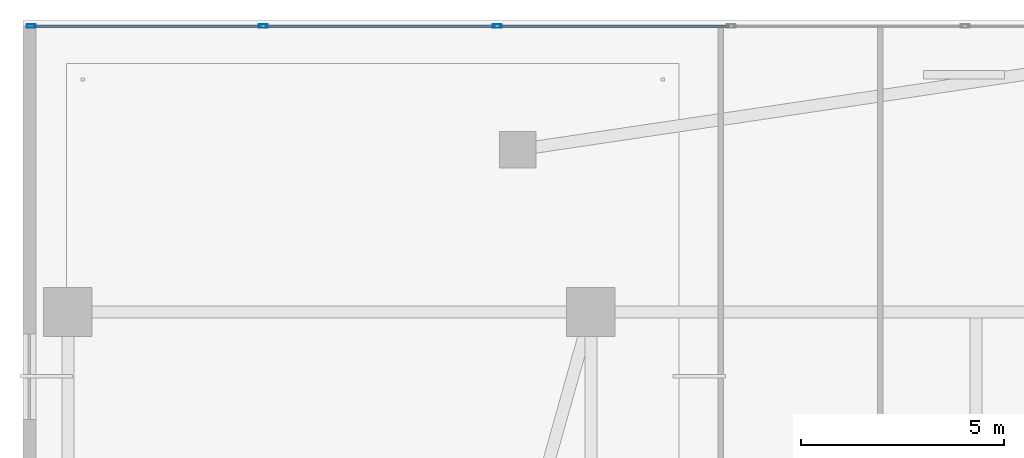
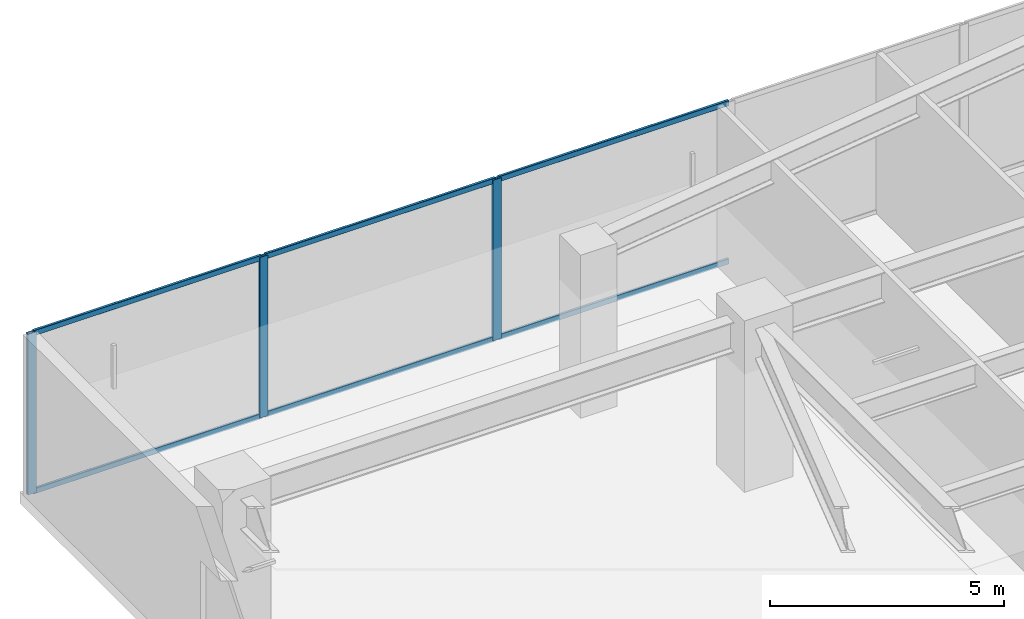
# One storey, part 2 of 22: 9 members, 1 element without a shape of its own.
"""IFC4 building model written with IfcOpenShell, lengths in metres."""

from ifc_helpers import new_model, si_unit, direction, frame, origin, origin_2d, place, context, subcontext, project, spatial, hollow_rectangle, extrude, material, layer, layer_set, material_profile, profile_set, type_object, element, aggregate, save


model = new_model("IFC4")

# Units and contexts
model_context = context("Model", 3, precision=1e-05, world=origin(), true_north=direction((0.0, 1.0)))
body_context = subcontext(model_context, "Body", "Model", "MODEL_VIEW")
ifc_project = project(units=[si_unit("LENGTHUNIT", "METRE"), si_unit("AREAUNIT", "SQUARE_METRE"), si_unit("VOLUMEUNIT", "CUBIC_METRE"), si_unit("PLANEANGLEUNIT", "RADIAN"), si_unit("MASSUNIT", "GRAM", prefix="KILO")], contexts=[model_context])

# Site, building, storey
site_placement = place(None, origin())
site = spatial("IfcSite", under=ifc_project, at=site_placement, CompositionType="ELEMENT")
building_placement = place(site_placement, origin())
building = spatial("IfcBuilding", under=site, at=building_placement, Name="Tarnavaz Court Tower", CompositionType="ELEMENT")
storey_placement = place(building_placement, frame((0.0, 0.0, 14.39990234375)))
storey = spatial("IfcBuildingStorey", under=building, at=storey_placement, Name="L03", CompositionType="ELEMENT", Elevation=14.39990234375)

# Curtain wall, members
ifc_material_1 = material(Name="Anodised Aluminium 6063-T6 and Solar Low-E Glazing", Category="aluminium")
ifc_layer = layer(ifc_material_1, 0.18994140625)
ifc_layer_set = layer_set([ifc_layer], Name="Anodised Aluminium 6063-T6 and Solar Low-E Glazing")
curtain_wall_type = type_object("IfcCurtainWallType", Name="CW-SYS-01", PredefinedType="NOTDEFINED", material=ifc_layer_set)
curtain_wall_placement = place(storey_placement, origin())
curtain_wall = element("IfcCurtainWall", 1, at=curtain_wall_placement, inside=storey, type_object=curtain_wall_type, Name="L03 Clinic Podium Curtain Wall 1", PredefinedType="NOTDEFINED")
ifc_material_2 = material(Name="Anodised Aluminium 6063-T6", Category="aluminium")
ifc_material_profile_1 = material_profile(ifc_material_2, hollow_rectangle(XDim=0.0849609375, YDim=0.219970703125, WallThickness=0.006103515625, InnerFilletRadius=0.006103515625, OuterFilletRadius=0.011962890625, at=origin_2d()), Name="ALU RHS 220X85X6")
ifc_profile_set_1 = profile_set([ifc_material_profile_1], Name="Anodised Aluminium 6063-T6")
member_type_1 = type_object("IfcMemberType", Name="CW-MUL-220", PredefinedType="MULLION", material=ifc_profile_set_1)
member_1_placement = place(storey_placement, frame((-28.8076171875, 29.85009765625, 0.0), z_axis=(0.0, 0.0, 1.0), x_axis=(0.0, 1.0, 0.0)))
member_1 = element("IfcMember", 2, at=member_1_placement, type_object=member_type_1, Name="CW mullion 1", PredefinedType="MULLION", context=body_context, shape_type="SweptSolid", body=[
    extrude(hollow_rectangle(XDim=0.0849609375, YDim=0.219970703125, WallThickness=0.006103515625, InnerFilletRadius=0.006103515625, OuterFilletRadius=0.011962890625, at=origin_2d()), origin(), (0.0, 0.0, 1.0), 4.2001953125),
])
member_2_placement = place(storey_placement, frame((-23.080078125, 29.85009765625, 0.0), z_axis=(0.0, 0.0, 1.0), x_axis=(0.0, 1.0, 0.0)))
member_2 = element("IfcMember", 3, at=member_2_placement, type_object=member_type_1, Name="CW mullion 2", PredefinedType="MULLION", context=body_context, shape_type="SweptSolid", body=[
    extrude(hollow_rectangle(XDim=0.0849609375, YDim=0.219970703125, WallThickness=0.006103515625, InnerFilletRadius=0.006103515625, OuterFilletRadius=0.011962890625, at=origin_2d()), origin(), (0.0, 0.0, 1.0), 4.2001953125),
])
member_3_placement = place(storey_placement, frame((-17.31005859375, 29.85009765625, 0.0), z_axis=(0.0, 0.0, 1.0), x_axis=(0.0, 1.0, 0.0)))
member_3 = element("IfcMember", 4, at=member_3_placement, type_object=member_type_1, Name="CW mullion 3", PredefinedType="MULLION", context=body_context, shape_type="SweptSolid", body=[
    extrude(hollow_rectangle(XDim=0.0849609375, YDim=0.219970703125, WallThickness=0.006103515625, InnerFilletRadius=0.006103515625, OuterFilletRadius=0.011962890625, at=origin_2d()), origin(), (0.0, 0.0, 1.0), 4.2001953125),
])
ifc_material_profile_2 = material_profile(ifc_material_2, hollow_rectangle(XDim=0.06494140625, YDim=0.139892578125, WallThickness=0.00390625, InnerFilletRadius=0.00390625, OuterFilletRadius=0.008056640625, at=origin_2d()), Name="ALU RHS 140X65X4")
ifc_profile_set_2 = profile_set([ifc_material_profile_2], Name="Anodised Aluminium 6063-T6")
member_type_2 = type_object("IfcMemberType", Name="CW-TRN-140", PredefinedType="USERDEFINED", material=ifc_profile_set_2)
member_4_placement = place(storey_placement, frame((-28.764892578125, 29.85009765625, 0.03271484375), z_axis=(1.0, 0.0, 0.0), x_axis=(0.0, 1.0, 0.0)))
member_4 = element("IfcMember", 5, at=member_4_placement, type_object=member_type_2, Name="CW transom 1.1", ObjectType="TRANSOM", PredefinedType="USERDEFINED", context=body_context, shape_type="SweptSolid", body=[
    extrude(hollow_rectangle(XDim=0.06494140625, YDim=0.139892578125, WallThickness=0.00390625, InnerFilletRadius=0.00390625, OuterFilletRadius=0.008056640625, at=origin_2d()), origin(), (0.0, 0.0, 1.0), 5.642333984375),
])
member_5_placement = place(storey_placement, frame((-28.764892578125, 29.85009765625, 4.16748046875), z_axis=(1.0, 0.0, 0.0), x_axis=(0.0, 1.0, 0.0)))
member_5 = element("IfcMember", 6, at=member_5_placement, type_object=member_type_2, Name="CW transom 1.2", ObjectType="TRANSOM", PredefinedType="USERDEFINED", context=body_context, shape_type="SweptSolid", body=[
    extrude(hollow_rectangle(XDim=0.06494140625, YDim=0.139892578125, WallThickness=0.00390625, InnerFilletRadius=0.00390625, OuterFilletRadius=0.008056640625, at=origin_2d()), origin(), (0.0, 0.0, 1.0), 5.642333984375),
])
member_6_placement = place(storey_placement, frame((-23.03759765625, 29.85009765625, 0.03271484375), z_axis=(1.0, 0.0, 0.0), x_axis=(0.0, 1.0, 0.0)))
member_6 = element("IfcMember", 7, at=member_6_placement, type_object=member_type_2, Name="CW transom 2.1", ObjectType="TRANSOM", PredefinedType="USERDEFINED", context=body_context, shape_type="SweptSolid", body=[
    extrude(hollow_rectangle(XDim=0.06494140625, YDim=0.139892578125, WallThickness=0.00390625, InnerFilletRadius=0.00390625, OuterFilletRadius=0.008056640625, at=origin_2d()), origin(), (0.0, 0.0, 1.0), 5.68505859375),
])
member_7_placement = place(storey_placement, frame((-23.03759765625, 29.85009765625, 4.16748046875), z_axis=(1.0, 0.0, 0.0), x_axis=(0.0, 1.0, 0.0)))
member_7 = element("IfcMember", 8, at=member_7_placement, type_object=member_type_2, Name="CW transom 2.2", ObjectType="TRANSOM", PredefinedType="USERDEFINED", context=body_context, shape_type="SweptSolid", body=[
    extrude(hollow_rectangle(XDim=0.06494140625, YDim=0.139892578125, WallThickness=0.00390625, InnerFilletRadius=0.00390625, OuterFilletRadius=0.008056640625, at=origin_2d()), origin(), (0.0, 0.0, 1.0), 5.68505859375),
])
member_8_placement = place(storey_placement, frame((-17.267578125, 29.85009765625, 0.03271484375), z_axis=(1.0, 0.0, 0.0), x_axis=(0.0, 1.0, 0.0)))
member_8 = element("IfcMember", 9, at=member_8_placement, type_object=member_type_2, Name="CW transom 3.1", ObjectType="TRANSOM", PredefinedType="USERDEFINED", context=body_context, shape_type="SweptSolid", body=[
    extrude(hollow_rectangle(XDim=0.06494140625, YDim=0.139892578125, WallThickness=0.00390625, InnerFilletRadius=0.00390625, OuterFilletRadius=0.008056640625, at=origin_2d()), origin(), (0.0, 0.0, 1.0), 5.68505859375),
])
member_9_placement = place(storey_placement, frame((-17.267578125, 29.85009765625, 4.16748046875), z_axis=(1.0, 0.0, 0.0), x_axis=(0.0, 1.0, 0.0)))
member_9 = element("IfcMember", 10, at=member_9_placement, type_object=member_type_2, Name="CW transom 3.2", ObjectType="TRANSOM", PredefinedType="USERDEFINED", context=body_context, shape_type="SweptSolid", body=[
    extrude(hollow_rectangle(XDim=0.06494140625, YDim=0.139892578125, WallThickness=0.00390625, InnerFilletRadius=0.00390625, OuterFilletRadius=0.008056640625, at=origin_2d()), origin(), (0.0, 0.0, 1.0), 5.68505859375),
])
aggregate(curtain_wall, [member_1, member_2, member_3, member_4, member_5, member_6, member_7, member_8, member_9])

save(model, "model.ifc")
